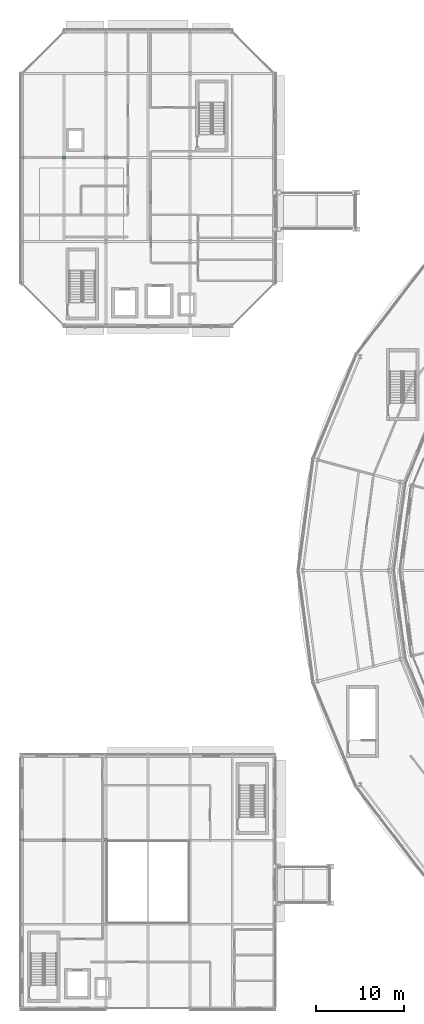
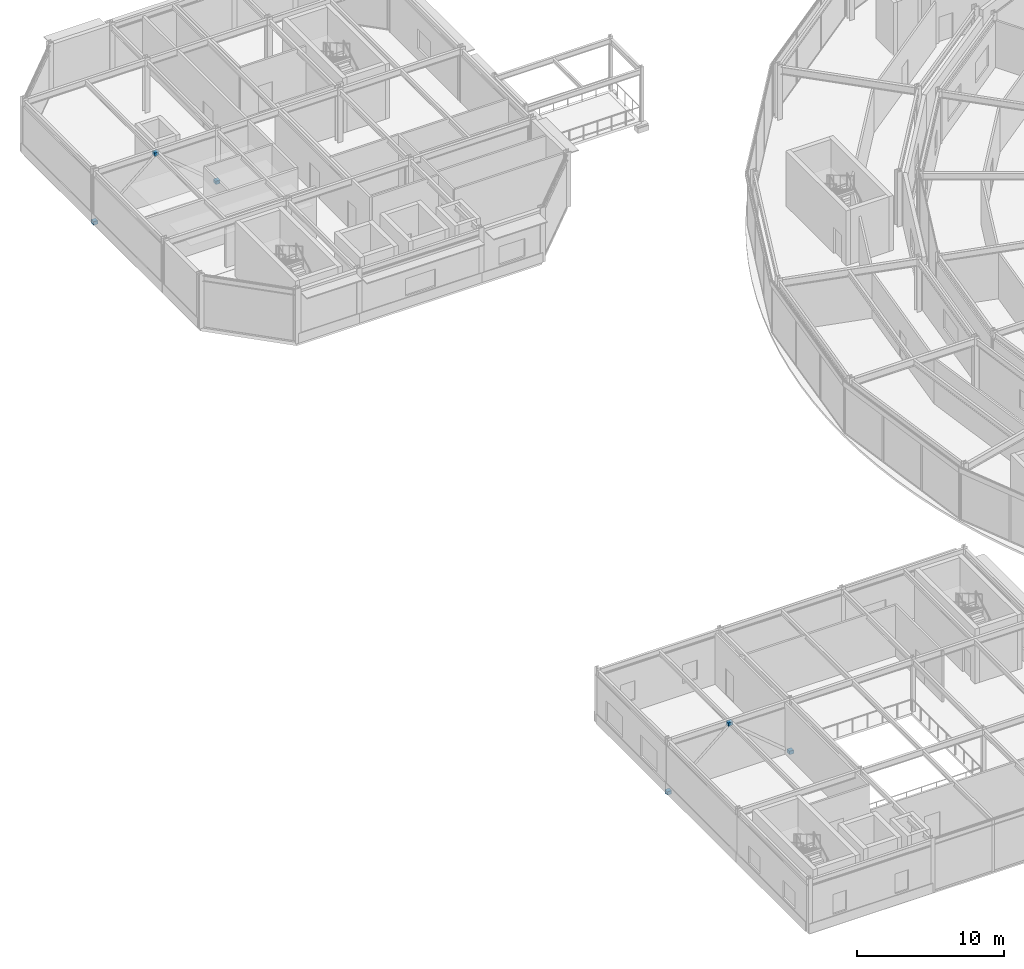
# One storey, part 114 of 157: 6 plates.
"""IFC4 building model written with IfcOpenShell, lengths in metres."""

import ifcopenshell
import ifcopenshell.guid

model = None  # the IFC model being written
_history = None  # IfcOwnerHistory: only IFC2X3 demands one
_inside = {}  # id of a spatial element -> (the spatial element, [elements in it])
_under = {}  # id of a project, library or spatial element -> (it, [spatial elements below it])
_declared = {}  # id of a project -> (the project, [libraries it declares])
_typed = {}  # id of a type object -> (the type object, [elements of that type])
_made_of = {}  # id of a material, layer set ... -> (it, [elements and type objects made of it])


def new_model(schema):
    """Start an empty IFC model of exactly this schema.

    Asked for "IFC4X3", IfcOpenShell would pick the latest addendum, in which some entities
    have other attributes; the version numbers below select the first issue.
    IFC2X3 requires an IfcOwnerHistory on every rooted entity: one is made here for all.
    """
    global model, _history
    if schema == "IFC4X3":
        model = ifcopenshell.file(schema_version=(4, 3, 0, 0))
    else:
        model = ifcopenshell.file(schema=schema)
    _inside.clear()
    _under.clear()
    _declared.clear()
    _typed.clear()
    _made_of.clear()
    _history = None
    if model.schema == "IFC2X3":
        org = make("IfcOrganization", Name="unknown")
        user = make(
            "IfcPersonAndOrganization",
            ThePerson=make("IfcPerson", FamilyName="unknown"),
            TheOrganization=org,
        )
        app = make(
            "IfcApplication",
            ApplicationDeveloper=org,
            Version="unknown",
            ApplicationFullName="unknown",
            ApplicationIdentifier="unknown",
        )
        _history = make(
            "IfcOwnerHistory",
            OwningUser=user,
            OwningApplication=app,
            ChangeAction="ADDED",
            CreationDate=0,
        )
    return model


def make(cls, **values):
    """One entity of the class cls with the attributes given. An attribute that is None is left unset."""
    return model.create_entity(
        cls, **{name: value for name, value in values.items() if value is not None}
    )


def rooted(cls, **values):
    """An entity with a GlobalId (a new one), such as an element, a storey or a relation."""
    return make(cls, GlobalId=ifcopenshell.guid.new(), OwnerHistory=_history, **values)


def si_unit(unit_type, name, prefix=None):
    """IfcSIUnit, for example si_unit("LENGTHUNIT", "METRE", prefix="MILLI")."""
    return make("IfcSIUnit", UnitType=unit_type, Prefix=prefix, Name=name)


def assignment(units):
    """IfcUnitAssignment: the units of a project."""
    return None if units is None else make("IfcUnitAssignment", Units=units)


def point(xyz):
    """IfcCartesianPoint."""
    return None if xyz is None else make("IfcCartesianPoint", Coordinates=xyz)


def direction(xyz):
    """IfcDirection."""
    return None if xyz is None else make("IfcDirection", DirectionRatios=xyz)


def frame(location, z_axis=None, x_axis=None):
    """IfcAxis2Placement3D, a coordinate frame: its origin and axes. An axis left out is left unset."""
    return make(
        "IfcAxis2Placement3D",
        Location=point(location),
        Axis=direction(z_axis),
        RefDirection=direction(x_axis),
    )


def frame_2d(location, x_axis=None):
    """IfcAxis2Placement2D, a coordinate frame in the plane: its origin and x axis."""
    return make(
        "IfcAxis2Placement2D", Location=point(location), RefDirection=direction(x_axis)
    )


def origin():
    """The frame at (0, 0, 0) with its axes left unset."""
    return frame((0.0, 0.0, 0.0))


def origin_2d():
    """The frame at (0, 0) in the plane with its x axis left unset."""
    return frame_2d((0.0, 0.0))


def place(relative_to, where):
    """IfcLocalPlacement: puts the frame where relative to a parent placement (None: the world)."""
    return make(
        "IfcLocalPlacement", PlacementRelTo=relative_to, RelativePlacement=where
    )


def context(
    kind, dimensions, precision=None, world=None, true_north=None, identifier=None
):
    """IfcGeometricRepresentationContext, for example the 3D "Model" context."""
    return make(
        "IfcGeometricRepresentationContext",
        ContextIdentifier=identifier,
        ContextType=kind,
        CoordinateSpaceDimension=dimensions,
        Precision=precision,
        WorldCoordinateSystem=world,
        TrueNorth=true_north,
    )


def subcontext(parent, identifier, kind, view, scale=None):
    """IfcGeometricRepresentationSubContext, for example "Body" below "Model"."""
    return make(
        "IfcGeometricRepresentationSubContext",
        ContextIdentifier=identifier,
        ContextType=kind,
        ParentContext=parent,
        TargetScale=scale,
        TargetView=view,
    )


def project(units=None, contexts=None):
    """IfcProject with its units and contexts."""
    return rooted(
        "IfcProject",
        Name="project",
        RepresentationContexts=contexts,
        UnitsInContext=assignment(units),
    )


def spatial(cls, under=None, at=None, **own):
    """A site, building, storey or space (cls), placed at a placement, below another one or the project."""
    s = rooted(cls, ObjectPlacement=at, **own)
    if under is not None:
        _under.setdefault(under.id(), (under, []))[1].append(s)
    return s


def profile(cls, at=None, kind="AREA", **sizes):
    """A parametric profile (cls). Its sizes go by their IFC names, for example OverallWidth=200.0."""
    return make(cls, ProfileType=kind, Position=at, **sizes)


def rectangle(**sizes):
    """IfcRectangleProfileDef."""
    return profile("IfcRectangleProfileDef", **sizes)


def extrude(swept, where, along, depth):
    """IfcExtrudedAreaSolid: the profile swept, set in the frame where, extruded along a direction by depth."""
    return make(
        "IfcExtrudedAreaSolid",
        SweptArea=swept,
        Position=where,
        ExtrudedDirection=direction(along),
        Depth=depth,
    )


def shape(context_of_items, identifier, shape_type, items):
    """IfcShapeRepresentation: the items that make up one representation, for example the "Body"."""
    return make(
        "IfcShapeRepresentation",
        ContextOfItems=context_of_items,
        RepresentationIdentifier=identifier,
        RepresentationType=shape_type,
        Items=items,
    )


def material(Name=None, Category=None):
    """IfcMaterial."""
    return make("IfcMaterial", Name=Name, Category=Category)


def layer(
    of_material, thickness, ventilated=None, Name=None, Category=None, Priority=None
):
    """IfcMaterialLayer: one layer of a wall or slab, of a material (None: an air gap)."""
    return make(
        "IfcMaterialLayer",
        Material=of_material,
        LayerThickness=thickness,
        IsVentilated=ventilated,
        Name=Name,
        Category=Category,
        Priority=Priority,
    )


def layer_set(layers, Name=None):
    """IfcMaterialLayerSet."""
    return make("IfcMaterialLayerSet", MaterialLayers=layers, LayerSetName=Name)


def made_of(thing, what):
    """Note that an element or type object is made of a material, layer set ...; save() writes the relation."""
    if what is not None:
        _made_of.setdefault(what.id(), (what, []))[1].append(thing)
    return thing


def type_object(cls, material=None, **own):
    """A type object (cls), such as IfcWallType, which elements share."""
    return made_of(rooted(cls, **own), material)


def element(
    cls,
    number,
    at=None,
    inside=None,
    cuts=None,
    type_object=None,
    material=None,
    context=None,
    identifier="Body",
    shape_type=None,
    held_by="IfcProductDefinitionShape",
    body=None,
    shapes=None,
    **own,
):
    """One element of the class cls, such as IfcWall. Its Tag is "e" and its number.

    at: its placement. inside: the storey or other place that contains it. cuts: it is an
    opening in that element (IfcRelVoidsElement). A single representation is given by context,
    identifier, shape_type and body (its items); several are given by shapes. held_by: the class
    of the entity that holds the representations. save() writes the other relations.
    """
    e = rooted(cls, Tag="e%d" % number, ObjectPlacement=at, **own)
    if body is not None:
        shapes = [shape(context, identifier, shape_type, body)]
    if shapes is not None:
        e.Representation = make(held_by, Representations=shapes)
    if inside is not None:
        _inside.setdefault(inside.id(), (inside, []))[1].append(e)
    if cuts is not None:
        rooted(
            "IfcRelVoidsElement", RelatingBuildingElement=cuts, RelatedOpeningElement=e
        )
    if type_object is not None:
        _typed.setdefault(type_object.id(), (type_object, []))[1].append(e)
    return made_of(e, material)


def aggregate(whole, parts):
    """IfcRelAggregates: a whole, such as a stair, and the parts it consists of."""
    return rooted("IfcRelAggregates", RelatingObject=whole, RelatedObjects=parts)


def save(model, path):
    """Write the relations noted so far, then the file.

    IfcRelAggregates (storeys below a building ...), IfcRelContainedInSpatialStructure (elements
    in a storey), IfcRelDefinesByType, IfcRelAssociatesMaterial and IfcRelDeclares: one each for
    every whole, place, type object, material and project.
    """
    for whole, parts in _under.values():
        aggregate(whole, parts)
    for where, things in _inside.values():
        rooted(
            "IfcRelContainedInSpatialStructure",
            RelatedElements=things,
            RelatingStructure=where,
        )
    for kind, things in _typed.values():
        rooted("IfcRelDefinesByType", RelatedObjects=things, RelatingType=kind)
    for what, things in _made_of.values():
        rooted("IfcRelAssociatesMaterial", RelatedObjects=things, RelatingMaterial=what)
    for by, libraries in _declared.values():
        rooted("IfcRelDeclares", RelatingContext=by, RelatedDefinitions=libraries)
    model.write(path)


model = new_model("IFC4")

# Units and contexts
model_context = context("Model", 3, precision=1e-05, world=origin(), true_north=direction((0.0, 1.0)))
body_context = subcontext(model_context, "Body", "Model", "MODEL_VIEW")
ifc_project = project(units=[si_unit("LENGTHUNIT", "METRE"), si_unit("AREAUNIT", "SQUARE_METRE"), si_unit("VOLUMEUNIT", "CUBIC_METRE"), si_unit("PLANEANGLEUNIT", "RADIAN"), si_unit("MASSUNIT", "GRAM", prefix="KILO")], contexts=[model_context])

# Site, building, storey
site_placement = place(None, origin())
site = spatial("IfcSite", under=ifc_project, at=site_placement, CompositionType="ELEMENT")
building_placement = place(site_placement, origin())
building = spatial("IfcBuilding", under=site, at=building_placement, Name="Almandine Court Research Institute", CompositionType="ELEMENT")
storey_placement = place(building_placement, frame((0.0, 0.0, 5.25)))
storey = spatial("IfcBuildingStorey", under=building, at=storey_placement, Name="L01", CompositionType="ELEMENT", Elevation=5.25)

# Plates
ifc_material = material(Name="Steel ASTM A36", Category="steel")
ifc_layer = layer(ifc_material, 0.280029296875)
ifc_layer_set = layer_set([ifc_layer], Name="Steel ASTM A36")
plate_type = type_object("IfcPlateType", Name="Plate-NPI-03", PredefinedType="SHEET", material=ifc_layer_set)
for number, where, z_axis, x_axis, name in (
    (1, (6.0, 25.199951171875, -0.1201171875), (0.0, 0.0, 1.0), (1.0, 0.0, 0.0), "L01 Seismic Brace Gusset Cap Plate V1-BF1-BL"),
    (2, (15.60009765625, 25.199951171875, -0.1201171875), (0.0, 0.0, 1.0), (1.0, 0.0, 0.0), "L01 Seismic Brace Gusset Cap Plate V1-BF1-BR"),
    (3, (10.800048828125, 25.199951171875, 3.91015625), (0.0, 0.0, 1.0), (1.0, 0.0, 0.0), "L01 Seismic Brace Gusset Cap Plate V1-BF1-AP"),
    (4, (6.0, 103.199951171875, -0.1201171875), (0.0, 0.0, 1.0), (1.0, 0.0, 0.0), "L01 Seismic Brace Gusset Cap Plate V3-BF1-BL"),
    (5, (15.60009765625, 103.199951171875, -0.1201171875), (0.0, 0.0, 1.0), (1.0, 0.0, 0.0), "L01 Seismic Brace Gusset Cap Plate V3-BF1-BR"),
    (6, (10.800048828125, 103.199951171875, 3.91015625), (0.0, 0.0, 1.0), (1.0, 0.0, 0.0), "L01 Seismic Brace Gusset Cap Plate V3-BF1-AP"),
):
    element("IfcPlate", number, at=place(storey_placement, frame(where, z_axis=z_axis, x_axis=x_axis)), inside=storey, type_object=plate_type, Name=name, PredefinedType="SHEET", context=body_context, shape_type="SweptSolid", body=[
        extrude(rectangle(XDim=0.340087890625, YDim=0.340087890625, at=origin_2d()), origin(), (0.0, 0.0, 1.0), 0.280029296875),
    ])

save(model, "model.ifc")
